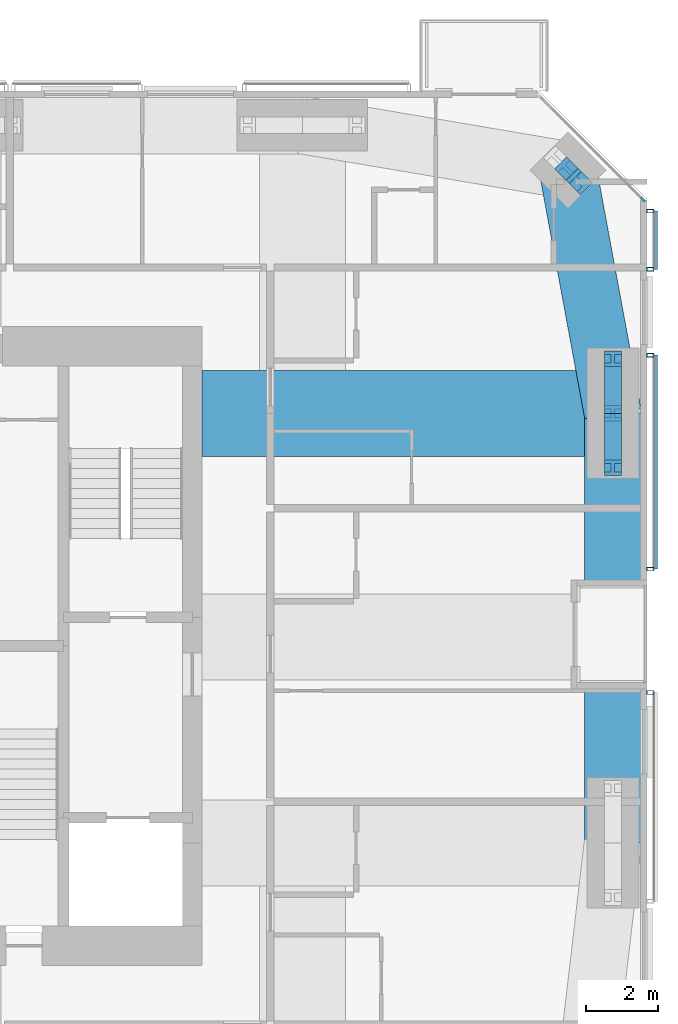
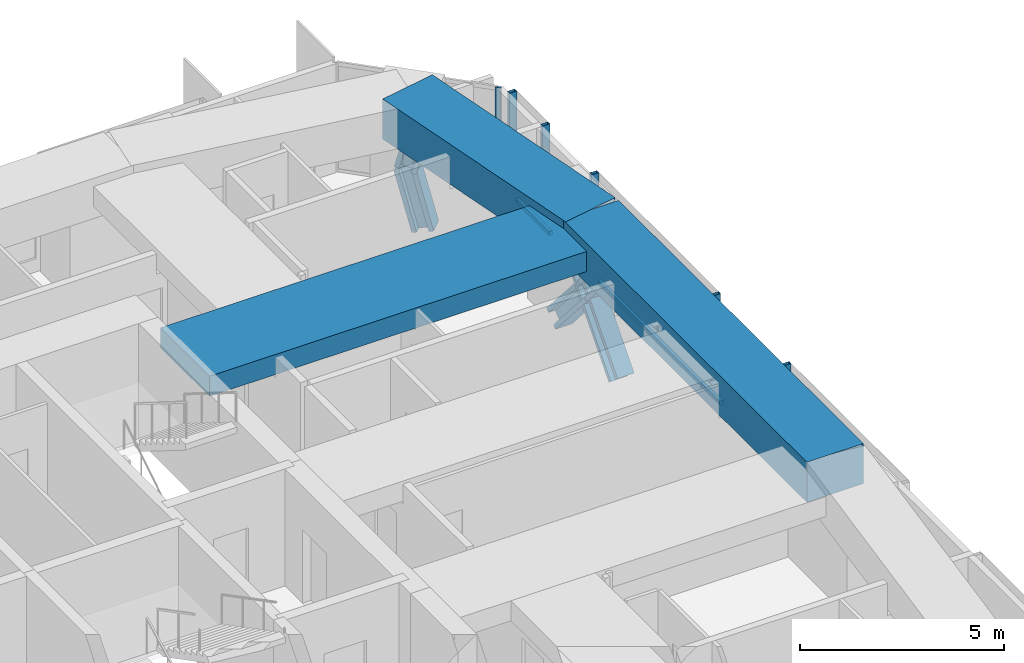
# One storey, part 9 of 19: 14 members, 3 beams, 4 elements without a shape of their own.
"""IFC4 building model written with IfcOpenShell, lengths in metres."""

import ifcopenshell
import ifcopenshell.guid

model = None  # the IFC model being written
_history = None  # IfcOwnerHistory: only IFC2X3 demands one
_inside = {}  # id of a spatial element -> (the spatial element, [elements in it])
_under = {}  # id of a project, library or spatial element -> (it, [spatial elements below it])
_declared = {}  # id of a project -> (the project, [libraries it declares])
_typed = {}  # id of a type object -> (the type object, [elements of that type])
_made_of = {}  # id of a material, layer set ... -> (it, [elements and type objects made of it])


def new_model(schema):
    """Start an empty IFC model of exactly this schema.

    Asked for "IFC4X3", IfcOpenShell would pick the latest addendum, in which some entities
    have other attributes; the version numbers below select the first issue.
    IFC2X3 requires an IfcOwnerHistory on every rooted entity: one is made here for all.
    """
    global model, _history
    if schema == "IFC4X3":
        model = ifcopenshell.file(schema_version=(4, 3, 0, 0))
    else:
        model = ifcopenshell.file(schema=schema)
    _inside.clear()
    _under.clear()
    _declared.clear()
    _typed.clear()
    _made_of.clear()
    _history = None
    if model.schema == "IFC2X3":
        org = make("IfcOrganization", Name="unknown")
        user = make(
            "IfcPersonAndOrganization",
            ThePerson=make("IfcPerson", FamilyName="unknown"),
            TheOrganization=org,
        )
        app = make(
            "IfcApplication",
            ApplicationDeveloper=org,
            Version="unknown",
            ApplicationFullName="unknown",
            ApplicationIdentifier="unknown",
        )
        _history = make(
            "IfcOwnerHistory",
            OwningUser=user,
            OwningApplication=app,
            ChangeAction="ADDED",
            CreationDate=0,
        )
    return model


def make(cls, **values):
    """One entity of the class cls with the attributes given. An attribute that is None is left unset."""
    return model.create_entity(
        cls, **{name: value for name, value in values.items() if value is not None}
    )


def rooted(cls, **values):
    """An entity with a GlobalId (a new one), such as an element, a storey or a relation."""
    return make(cls, GlobalId=ifcopenshell.guid.new(), OwnerHistory=_history, **values)


def si_unit(unit_type, name, prefix=None):
    """IfcSIUnit, for example si_unit("LENGTHUNIT", "METRE", prefix="MILLI")."""
    return make("IfcSIUnit", UnitType=unit_type, Prefix=prefix, Name=name)


def assignment(units):
    """IfcUnitAssignment: the units of a project."""
    return None if units is None else make("IfcUnitAssignment", Units=units)


def point(xyz):
    """IfcCartesianPoint."""
    return None if xyz is None else make("IfcCartesianPoint", Coordinates=xyz)


def direction(xyz):
    """IfcDirection."""
    return None if xyz is None else make("IfcDirection", DirectionRatios=xyz)


def frame(location, z_axis=None, x_axis=None):
    """IfcAxis2Placement3D, a coordinate frame: its origin and axes. An axis left out is left unset."""
    return make(
        "IfcAxis2Placement3D",
        Location=point(location),
        Axis=direction(z_axis),
        RefDirection=direction(x_axis),
    )


def frame_2d(location, x_axis=None):
    """IfcAxis2Placement2D, a coordinate frame in the plane: its origin and x axis."""
    return make(
        "IfcAxis2Placement2D", Location=point(location), RefDirection=direction(x_axis)
    )


def origin():
    """The frame at (0, 0, 0) with its axes left unset."""
    return frame((0.0, 0.0, 0.0))


def origin_2d():
    """The frame at (0, 0) in the plane with its x axis left unset."""
    return frame_2d((0.0, 0.0))


def place(relative_to, where):
    """IfcLocalPlacement: puts the frame where relative to a parent placement (None: the world)."""
    return make(
        "IfcLocalPlacement", PlacementRelTo=relative_to, RelativePlacement=where
    )


def context(
    kind, dimensions, precision=None, world=None, true_north=None, identifier=None
):
    """IfcGeometricRepresentationContext, for example the 3D "Model" context."""
    return make(
        "IfcGeometricRepresentationContext",
        ContextIdentifier=identifier,
        ContextType=kind,
        CoordinateSpaceDimension=dimensions,
        Precision=precision,
        WorldCoordinateSystem=world,
        TrueNorth=true_north,
    )


def subcontext(parent, identifier, kind, view, scale=None):
    """IfcGeometricRepresentationSubContext, for example "Body" below "Model"."""
    return make(
        "IfcGeometricRepresentationSubContext",
        ContextIdentifier=identifier,
        ContextType=kind,
        ParentContext=parent,
        TargetScale=scale,
        TargetView=view,
    )


def project(units=None, contexts=None):
    """IfcProject with its units and contexts."""
    return rooted(
        "IfcProject",
        Name="project",
        RepresentationContexts=contexts,
        UnitsInContext=assignment(units),
    )


def spatial(cls, under=None, at=None, **own):
    """A site, building, storey or space (cls), placed at a placement, below another one or the project."""
    s = rooted(cls, ObjectPlacement=at, **own)
    if under is not None:
        _under.setdefault(under.id(), (under, []))[1].append(s)
    return s


def profile(cls, at=None, kind="AREA", **sizes):
    """A parametric profile (cls). Its sizes go by their IFC names, for example OverallWidth=200.0."""
    return make(cls, ProfileType=kind, Position=at, **sizes)


def rectangle(**sizes):
    """IfcRectangleProfileDef."""
    return profile("IfcRectangleProfileDef", **sizes)


def hollow_rectangle(**sizes):
    """IfcRectangleHollowProfileDef."""
    return profile("IfcRectangleHollowProfileDef", **sizes)


def i_section(**sizes):
    """IfcIShapeProfileDef."""
    return profile("IfcIShapeProfileDef", **sizes)


def extrude(swept, where, along, depth):
    """IfcExtrudedAreaSolid: the profile swept, set in the frame where, extruded along a direction by depth."""
    return make(
        "IfcExtrudedAreaSolid",
        SweptArea=swept,
        Position=where,
        ExtrudedDirection=direction(along),
        Depth=depth,
    )


def shape(context_of_items, identifier, shape_type, items):
    """IfcShapeRepresentation: the items that make up one representation, for example the "Body"."""
    return make(
        "IfcShapeRepresentation",
        ContextOfItems=context_of_items,
        RepresentationIdentifier=identifier,
        RepresentationType=shape_type,
        Items=items,
    )


def material(Name=None, Category=None):
    """IfcMaterial."""
    return make("IfcMaterial", Name=Name, Category=Category)


def material_profile(
    of_material, cross_section, Name=None, Category=None, Priority=None
):
    """IfcMaterialProfile: a cross section and its material."""
    return make(
        "IfcMaterialProfile",
        Name=Name,
        Material=of_material,
        Profile=cross_section,
        Priority=Priority,
        Category=Category,
    )


def profile_set(profiles, Name=None, composite=None):
    """IfcMaterialProfileSet."""
    return make(
        "IfcMaterialProfileSet",
        Name=Name,
        MaterialProfiles=profiles,
        CompositeProfile=composite,
    )


def made_of(thing, what):
    """Note that an element or type object is made of a material, layer set ...; save() writes the relation."""
    if what is not None:
        _made_of.setdefault(what.id(), (what, []))[1].append(thing)
    return thing


def type_object(cls, material=None, **own):
    """A type object (cls), such as IfcWallType, which elements share."""
    return made_of(rooted(cls, **own), material)


def element(
    cls,
    number,
    at=None,
    inside=None,
    cuts=None,
    type_object=None,
    material=None,
    context=None,
    identifier="Body",
    shape_type=None,
    held_by="IfcProductDefinitionShape",
    body=None,
    shapes=None,
    **own,
):
    """One element of the class cls, such as IfcWall. Its Tag is "e" and its number.

    at: its placement. inside: the storey or other place that contains it. cuts: it is an
    opening in that element (IfcRelVoidsElement). A single representation is given by context,
    identifier, shape_type and body (its items); several are given by shapes. held_by: the class
    of the entity that holds the representations. save() writes the other relations.
    """
    e = rooted(cls, Tag="e%d" % number, ObjectPlacement=at, **own)
    if body is not None:
        shapes = [shape(context, identifier, shape_type, body)]
    if shapes is not None:
        e.Representation = make(held_by, Representations=shapes)
    if inside is not None:
        _inside.setdefault(inside.id(), (inside, []))[1].append(e)
    if cuts is not None:
        rooted(
            "IfcRelVoidsElement", RelatingBuildingElement=cuts, RelatedOpeningElement=e
        )
    if type_object is not None:
        _typed.setdefault(type_object.id(), (type_object, []))[1].append(e)
    return made_of(e, material)


def aggregate(whole, parts):
    """IfcRelAggregates: a whole, such as a stair, and the parts it consists of."""
    return rooted("IfcRelAggregates", RelatingObject=whole, RelatedObjects=parts)


def save(model, path):
    """Write the relations noted so far, then the file.

    IfcRelAggregates (storeys below a building ...), IfcRelContainedInSpatialStructure (elements
    in a storey), IfcRelDefinesByType, IfcRelAssociatesMaterial and IfcRelDeclares: one each for
    every whole, place, type object, material and project.
    """
    for whole, parts in _under.values():
        aggregate(whole, parts)
    for where, things in _inside.values():
        rooted(
            "IfcRelContainedInSpatialStructure",
            RelatedElements=things,
            RelatingStructure=where,
        )
    for kind, things in _typed.values():
        rooted("IfcRelDefinesByType", RelatedObjects=things, RelatingType=kind)
    for what, things in _made_of.values():
        rooted("IfcRelAssociatesMaterial", RelatedObjects=things, RelatingMaterial=what)
    for by, libraries in _declared.values():
        rooted("IfcRelDeclares", RelatingContext=by, RelatedDefinitions=libraries)
    model.write(path)


model = new_model("IFC4")

# Units and contexts
model_context = context("Model", 3, precision=1e-05, world=origin(), true_north=direction((0.0, 1.0)))
body_context = subcontext(model_context, "Body", "Model", "MODEL_VIEW")
ifc_project = project(units=[si_unit("LENGTHUNIT", "METRE"), si_unit("AREAUNIT", "SQUARE_METRE"), si_unit("VOLUMEUNIT", "CUBIC_METRE"), si_unit("PLANEANGLEUNIT", "RADIAN"), si_unit("MASSUNIT", "GRAM", prefix="KILO")], contexts=[model_context])

# Site, building, storey
site_placement = place(None, origin())
site = spatial("IfcSite", under=ifc_project, at=site_placement, CompositionType="ELEMENT")
building_placement = place(site_placement, origin())
building = spatial("IfcBuilding", under=site, at=building_placement, Name="Jalousie Tower", CompositionType="ELEMENT")
storey_placement = place(building_placement, frame((0.0, 0.0, 224.949951171875)))
storey = spatial("IfcBuildingStorey", under=building, at=storey_placement, Name="L61", CompositionType="ELEMENT", Elevation=224.949951171875)

# Curtain wall, member
ifc_material_1 = material(Name="Aluminium curtain wall", Category="aluminium")
curtain_wall_type_1 = type_object("IfcCurtainWallType", Name="CORNER WINDOW WALL", PredefinedType="USERDEFINED", material=ifc_material_1)
curtain_wall_1_placement = place(storey_placement, origin())
curtain_wall_1 = element("IfcCurtainWall", 1, at=curtain_wall_1_placement, inside=storey, type_object=curtain_wall_type_1, Name="Corner Window Wall L61 4", ObjectType="CORNER WINDOW WALL", PredefinedType="USERDEFINED")
ifc_material_2 = material(Name="Aluminium mullion", Category="aluminium")
ifc_material_profile_1 = material_profile(ifc_material_2, rectangle(XDim=0.06005859375, YDim=0.14990234375, at=origin_2d()), Name="MULLION 60x150")
ifc_profile_set_1 = profile_set([ifc_material_profile_1], Name="Aluminium mullion")
member_type_1 = type_object("IfcMemberType", Name="CORNER WINDOW WALL MULLION", PredefinedType="MULLION", material=ifc_profile_set_1)
member_1_placement = place(storey_placement, frame((56.391357421875, 30.969970703125, 0.0), z_axis=(0.0, 0.0, 1.0), x_axis=(-0.707106781187, -0.707106781187, 0.0)))
member_1 = element("IfcMember", 2, at=member_1_placement, type_object=member_type_1, Name="CW-C mullion 1", PredefinedType="MULLION", context=body_context, shape_type="SweptSolid", body=[
    extrude(rectangle(XDim=0.06005859375, YDim=0.14990234375, at=origin_2d()), origin(), (0.0, 0.0, 1.0), 3.260009765625),
])
aggregate(curtain_wall_1, [member_1])

# Members
ifc_material_3 = material(Name="Steel ASTM A992 Grade 50", Category="steel")
ifc_material_profile_2 = material_profile(ifc_material_3, i_section(OverallWidth=0.472412109375, OverallDepth=0.5791015625, WebThickness=0.094970703125, FlangeThickness=0.1298828125, at=origin_2d()), Name="W14X808")
ifc_profile_set_2 = profile_set([ifc_material_profile_2], Name="Steel ASTM A992 Grade 50")
member_type_2 = type_object("IfcMemberType", Name="PERIMETER BRACE W14X808", PredefinedType="BRACE", material=ifc_profile_set_2)
for number, where, z_axis, x_axis, name in (
    (3, (55.550048828125, 23.47509765625, -0.599853515625), (0.0, 0.65695436777, 0.753930340726), (-1.0, 0.0, 0.0), "Perimeter brace 07 L61 part 1"),
    (4, (55.550048828125, 25.0, 1.150146484375), (0.0, 0.65695436777, 0.753930340726), (-1.0, 0.0, 0.0), "Perimeter brace 07 L61 part 2"),
    (5, (55.550048828125, 26.52490234375, -0.599853515625), (0.0, -0.65695436777, 0.753930340726), (1.0, 0.0, 0.0), "Perimeter brace 07 L61 part 3"),
    (6, (55.550048828125, 25.0, 1.150146484375), (0.0, -0.65695436777, 0.753930340726), (1.0, 0.0, 0.0), "Perimeter brace 07 L61 part 4"),
):
    element("IfcMember", number, at=place(storey_placement, frame(where, z_axis=z_axis, x_axis=x_axis)), inside=storey, type_object=member_type_2, Name=name, PredefinedType="BRACE", context=body_context, shape_type="SweptSolid", body=[
        extrude(i_section(OverallWidth=0.472412109375, OverallDepth=0.5791015625, WebThickness=0.094970703125, FlangeThickness=0.1298828125, at=origin_2d()), origin(), (0.0, 0.0, 1.0), 2.3212890625),
    ])
for number, where, z_axis, x_axis, name in (
    (7, (54.611083984375, 31.474609375, -0.599853515625), (-0.176051427143, 0.17618653952, 0.968485517854), (-0.707377963048, -0.706835495285, 0.0), "Perimeter brace 08 L61 part 1"),
    (8, (54.29296875, 31.79296875, 1.150146484375), (0.176051427143, -0.17618653952, 0.968485517854), (0.707377963048, 0.706835495285, 0.0), "Perimeter brace 08 L61 part 4"),
):
    element("IfcMember", number, at=place(storey_placement, frame(where, z_axis=z_axis, x_axis=x_axis)), inside=storey, type_object=member_type_2, Name=name, PredefinedType="BRACE", context=body_context, shape_type="SweptSolid", body=[
        extrude(i_section(OverallWidth=0.472412109375, OverallDepth=0.5791015625, WebThickness=0.094970703125, FlangeThickness=0.1298828125, at=origin_2d()), origin(), (0.0, 0.0, 1.0), 1.806884765625),
    ])

# Beams
ifc_material_4 = material(Name="Concrete f'c 40 MPa", Category="concrete")
ifc_material_profile_3 = material_profile(ifc_material_4, rectangle(XDim=1.60009765625, YDim=1.199951171875, at=origin_2d()), Name="RC 1600x1200")
ifc_profile_set_3 = profile_set([ifc_material_profile_3], Name="Concrete f'c 40 MPa")
beam_type_1 = type_object("IfcBeamType", Name="RC BEAM 1600x1200", PredefinedType="BEAM", material=ifc_profile_set_3)
beam_1_placement = place(storey_placement, frame((55.550048828125, 13.0, 2.900146484375), z_axis=(0.0, 1.0, 0.0), x_axis=(-1.0, 0.0, 0.0)))
element("IfcBeam", 9, at=beam_1_placement, inside=storey, type_object=beam_type_1, Name="Edge band beam 06-07 under L62", PredefinedType="BEAM", context=body_context, shape_type="SweptSolid", body=[
    extrude(rectangle(XDim=1.60009765625, YDim=1.199951171875, at=origin_2d()), origin(), (0.0, 0.0, 1.0), 12.0),
])
beam_2_placement = place(storey_placement, frame((55.550048828125, 25.0, 2.900146484375), z_axis=(-0.181966505593, 0.983304729391, 0.0), x_axis=(-0.983304729391, -0.181966505593, 0.0)))
element("IfcBeam", 10, at=beam_2_placement, inside=storey, type_object=beam_type_1, Name="Edge band beam 07-08 under L62", PredefinedType="BEAM", context=body_context, shape_type="SweptSolid", body=[
    extrude(rectangle(XDim=1.60009765625, YDim=1.199951171875, at=origin_2d()), origin(), (0.0, 0.0, 1.0), 6.908203125),
])
ifc_material_5 = material(Name="Concrete f'c 40 MPa", Category="concrete")
ifc_material_profile_4 = material_profile(ifc_material_5, rectangle(XDim=2.39990234375, YDim=0.60009765625, at=origin_2d()), Name="RC 2400x600")
ifc_profile_set_4 = profile_set([ifc_material_profile_4], Name="Concrete f'c 40 MPa")
beam_type_2 = type_object("IfcBeamType", Name="RC BEAM 2400x600", PredefinedType="BEAM", material=ifc_profile_set_4)
beam_3_placement = place(storey_placement, frame((55.550048828125, 25.0, 2.9599609375), z_axis=(-1.0, 0.0, 0.0), x_axis=(0.0, -1.0, 0.0)))
element("IfcBeam", 11, at=beam_3_placement, inside=storey, type_object=beam_type_2, Name="Floor band beam under L62", PredefinedType="BEAM", context=body_context, shape_type="SweptSolid", body=[
    extrude(rectangle(XDim=2.39990234375, YDim=0.60009765625, at=origin_2d()), origin(), (0.0, 0.0, 1.0), 11.47509765625),
])

# Curtain wall, member
ifc_material_6 = material(Name="Perforated aluminium sheet", Category="aluminium")
curtain_wall_type_2 = type_object("IfcCurtainWallType", Name="SOLAR SCREEN SS-2", PredefinedType="USERDEFINED", material=ifc_material_6)
curtain_wall_2_placement = place(storey_placement, origin())
curtain_wall_2 = element("IfcCurtainWall", 12, at=curtain_wall_2_placement, inside=storey, type_object=curtain_wall_type_2, Name="Solar screen L61", ObjectType="SOLAR SCREEN SS-2", PredefinedType="USERDEFINED")
ifc_material_7 = material(Name="Steel ASTM A500 Grade C", Category="steel")
ifc_material_profile_5 = material_profile(ifc_material_7, hollow_rectangle(XDim=0.1015625, YDim=0.203125, WallThickness=0.0078125, at=origin_2d()), Name="HSS8X4X5/16")
ifc_profile_set_5 = profile_set([ifc_material_profile_5], Name="Steel ASTM A500 Grade C")
member_type_3 = type_object("IfcMemberType", Name="SOLAR SCREEN SS-2 MULLION", PredefinedType="MULLION", material=ifc_profile_set_5)
member_2_placement = place(storey_placement, frame((56.5966796875, 17.199951171875, -0.119873046875), z_axis=(0.0, 0.0, 1.0), x_axis=(0.0, 1.0, 0.0)))
member_2 = element("IfcMember", 13, at=member_2_placement, type_object=member_type_3, Name="SS2 post 2", PredefinedType="MULLION", context=body_context, shape_type="SweptSolid", body=[
    extrude(hollow_rectangle(XDim=0.1015625, YDim=0.203125, WallThickness=0.0078125, at=origin_2d()), origin(), (0.0, 0.0, 1.0), 3.3798828125),
])
aggregate(curtain_wall_2, [member_2])

# Curtain wall, members
curtain_wall_3_placement = place(storey_placement, origin())
curtain_wall_3 = element("IfcCurtainWall", 14, at=curtain_wall_3_placement, inside=storey, type_object=curtain_wall_type_2, Name="Solar screen L61", ObjectType="SOLAR SCREEN SS-2", PredefinedType="USERDEFINED")
member_3_placement = place(storey_placement, frame((56.5966796875, 20.64990234375, -0.119873046875), z_axis=(0.0, 0.0, 1.0), x_axis=(0.0, 1.0, 0.0)))
member_3 = element("IfcMember", 15, at=member_3_placement, type_object=member_type_3, Name="SS2 post 1", PredefinedType="MULLION", context=body_context, shape_type="SweptSolid", body=[
    extrude(hollow_rectangle(XDim=0.1015625, YDim=0.203125, WallThickness=0.0078125, at=origin_2d()), origin(), (0.0, 0.0, 1.0), 3.3798828125),
])
member_4_placement = place(storey_placement, frame((56.5966796875, 26.625, -0.119873046875), z_axis=(0.0, 0.0, 1.0), x_axis=(0.0, 1.0, 0.0)))
member_4 = element("IfcMember", 16, at=member_4_placement, type_object=member_type_3, Name="SS2 post 2", PredefinedType="MULLION", context=body_context, shape_type="SweptSolid", body=[
    extrude(hollow_rectangle(XDim=0.1015625, YDim=0.203125, WallThickness=0.0078125, at=origin_2d()), origin(), (0.0, 0.0, 1.0), 3.3798828125),
])

curtain_wall_4_placement = place(storey_placement, origin())
curtain_wall_4 = element("IfcCurtainWall", 17, at=curtain_wall_4_placement, inside=storey, type_object=curtain_wall_type_2, Name="Solar screen L61", ObjectType="SOLAR SCREEN SS-2", PredefinedType="USERDEFINED")
member_5_placement = place(storey_placement, frame((56.5966796875, 29.02490234375, -0.119873046875), z_axis=(0.0, 0.0, 1.0), x_axis=(0.0, 1.0, 0.0)))
member_5 = element("IfcMember", 18, at=member_5_placement, type_object=member_type_3, Name="SS2 post 1", PredefinedType="MULLION", context=body_context, shape_type="SweptSolid", body=[
    extrude(hollow_rectangle(XDim=0.1015625, YDim=0.203125, WallThickness=0.0078125, at=origin_2d()), origin(), (0.0, 0.0, 1.0), 3.3798828125),
])
member_6_placement = place(storey_placement, frame((56.5966796875, 30.648681640625, -0.119873046875), z_axis=(0.0, 0.0, 1.0), x_axis=(0.0, 1.0, 0.0)))
member_6 = element("IfcMember", 19, at=member_6_placement, type_object=member_type_3, Name="SS2 post 2", PredefinedType="MULLION", context=body_context, shape_type="SweptSolid", body=[
    extrude(hollow_rectangle(XDim=0.1015625, YDim=0.203125, WallThickness=0.0078125, at=origin_2d()), origin(), (0.0, 0.0, 1.0), 3.3798828125),
])

# Member
ifc_material_8 = material(Name="Extruded aluminium screen rail", Category="aluminium")
ifc_material_profile_6 = material_profile(ifc_material_8, rectangle(XDim=0.1015625, YDim=0.1201171875, at=origin_2d()), Name="RAIL 102x120")
ifc_profile_set_6 = profile_set([ifc_material_profile_6], Name="Extruded aluminium screen rail")
member_type_4 = type_object("IfcMemberType", Name="SOLAR SCREEN SS-2 TRANSOM", PredefinedType="USERDEFINED", material=ifc_profile_set_6)
member_7_placement = place(storey_placement, frame((56.7490234375, 20.64990234375, -0.06005859375), z_axis=(0.0, 1.0, 0.0), x_axis=(-1.0, 0.0, 0.0)))
member_7 = element("IfcMember", 20, at=member_7_placement, type_object=member_type_4, Name="SS2 rail", ObjectType="TRANSOM", PredefinedType="USERDEFINED", context=body_context, shape_type="SweptSolid", body=[
    extrude(rectangle(XDim=0.1015625, YDim=0.1201171875, at=origin_2d()), origin(), (0.0, 0.0, 1.0), 5.97509765625),
])

aggregate(curtain_wall_3, [member_3, member_4, member_7])

member_8_placement = place(storey_placement, frame((56.7490234375, 29.02490234375, -0.06005859375), z_axis=(0.0, 1.0, 0.0), x_axis=(-1.0, 0.0, 0.0)))
member_8 = element("IfcMember", 21, at=member_8_placement, type_object=member_type_4, Name="SS2 rail", ObjectType="TRANSOM", PredefinedType="USERDEFINED", context=body_context, shape_type="SweptSolid", body=[
    extrude(rectangle(XDim=0.1015625, YDim=0.1201171875, at=origin_2d()), origin(), (0.0, 0.0, 1.0), 1.623779296875),
])

aggregate(curtain_wall_4, [member_5, member_6, member_8])

save(model, "model.ifc")
